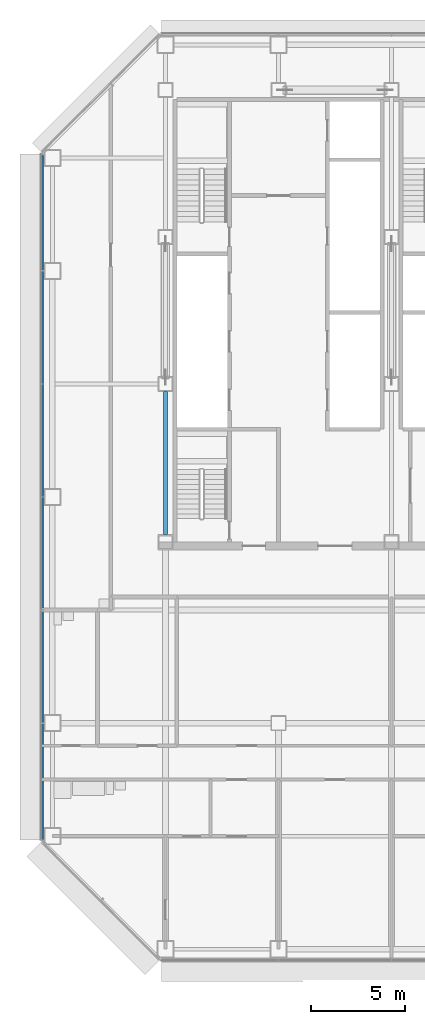
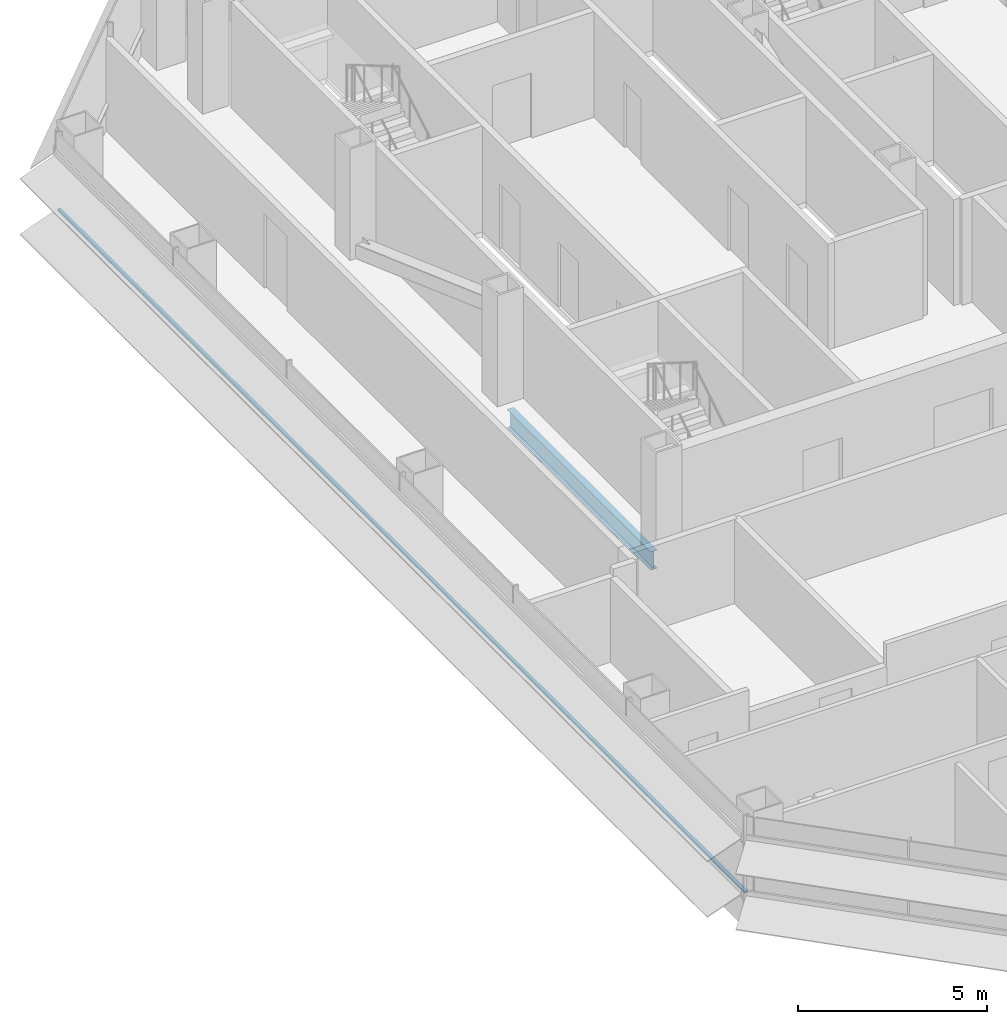
# One storey, part 5 of 27: 1 beam, 1 member, 1 element without a shape of its own.
"""IFC4 building model written with IfcOpenShell, lengths in metres."""

from ifc_helpers import new_model, si_unit, direction, frame, origin, origin_2d, place, context, subcontext, project, spatial, rectangle, i_section, extrude, material, material_profile, profile_set, type_object, element, aggregate, save


model = new_model("IFC4")

# Units and contexts
model_context = context("Model", 3, precision=1e-05, world=origin(), true_north=direction((0.0, 1.0)))
body_context = subcontext(model_context, "Body", "Model", "MODEL_VIEW")
ifc_project = project(units=[si_unit("LENGTHUNIT", "METRE"), si_unit("AREAUNIT", "SQUARE_METRE"), si_unit("VOLUMEUNIT", "CUBIC_METRE"), si_unit("PLANEANGLEUNIT", "RADIAN"), si_unit("MASSUNIT", "GRAM", prefix="KILO")], contexts=[model_context])

# Site, building, storey
site_placement = place(None, origin())
site = spatial("IfcSite", under=ifc_project, at=site_placement, CompositionType="ELEMENT")
building_placement = place(site_placement, origin())
building = spatial("IfcBuilding", under=site, at=building_placement, Name="Sorahane Residences", CompositionType="ELEMENT")
storey_placement = place(building_placement, frame((0.0, 0.0, 53.39990234375)))
storey = spatial("IfcBuildingStorey", under=building, at=storey_placement, Name="L09", CompositionType="ELEMENT", Elevation=53.39990234375)

# Curtain wall, member
ifc_material_1 = material(Name="Dark low-e glass and black anodised aluminium", Category="aluminium")
curtain_wall_type = type_object("IfcCurtainWallType", Name="Curtain wall CW-1 Typical unitised wall", PredefinedType="NOTDEFINED", material=ifc_material_1)
curtain_wall_placement = place(storey_placement, origin())
curtain_wall = element("IfcCurtainWall", 1, at=curtain_wall_placement, inside=storey, type_object=curtain_wall_type, Name="CW-1 curtain wall L09 W1", PredefinedType="NOTDEFINED")
ifc_material_2 = material(Name="Black anodised aluminium", Category="aluminium")
ifc_material_profile_1 = material_profile(ifc_material_2, rectangle(XDim=0.10009765625, YDim=0.06005859375, at=origin_2d()), Name="Curtain wall transom CW-1 black anodised aluminium 60x100")
ifc_profile_set_1 = profile_set([ifc_material_profile_1], Name="Black anodised aluminium")
member_type = type_object("IfcMemberType", Name="Curtain wall transom CW-1 black anodised aluminium 60x100", PredefinedType="USERDEFINED", material=ifc_profile_set_1)
member_placement = place(storey_placement, frame((-0.530029296875, 42.198486328125, 0.900146484375), z_axis=(0.0, -1.0, 0.0), x_axis=(1.0, 0.0, 0.0)))
member = element("IfcMember", 2, at=member_placement, type_object=member_type, Name="CW-1 transom L09 W1", ObjectType="TRANSOM", PredefinedType="USERDEFINED", context=body_context, shape_type="SweptSolid", body=[
    extrude(rectangle(XDim=0.10009765625, YDim=0.06005859375, at=origin_2d()), origin(), (0.0, 0.0, 1.0), 36.39697265625),
])
aggregate(curtain_wall, [member])

# Beam
ifc_material_3 = material(Name="Steel Q355B", Category="steel")
ifc_material_profile_2 = material_profile(ifc_material_3, i_section(OverallWidth=0.199951171875, OverallDepth=0.60009765625, WebThickness=0.010986328125, FlangeThickness=0.01708984375, FilletRadius=0.02392578125, at=origin_2d()), Name="HN 600x200x11x17")
ifc_profile_set_2 = profile_set([ifc_material_profile_2], Name="Steel Q355B")
beam_type = type_object("IfcBeamType", Name="Steel floor beam HN 600x200x11x17 Q355B", PredefinedType="BEAM", material=ifc_profile_set_2)
beam_placement = place(storey_placement, frame((6.0, 22.0, -0.47998046875), z_axis=(0.0, 1.0, 0.0), x_axis=(-1.0, 0.0, 0.0)))
element("IfcBeam", 3, at=beam_placement, inside=storey, type_object=beam_type, Name="Beam L09 023", PredefinedType="BEAM", context=body_context, shape_type="SweptSolid", body=[
    extrude(i_section(OverallWidth=0.199951171875, OverallDepth=0.60009765625, WebThickness=0.010986328125, FlangeThickness=0.01708984375, FilletRadius=0.02392578125, at=origin_2d()), origin(), (0.0, 0.0, 1.0), 7.60009765625),
])

save(model, "model.ifc")
